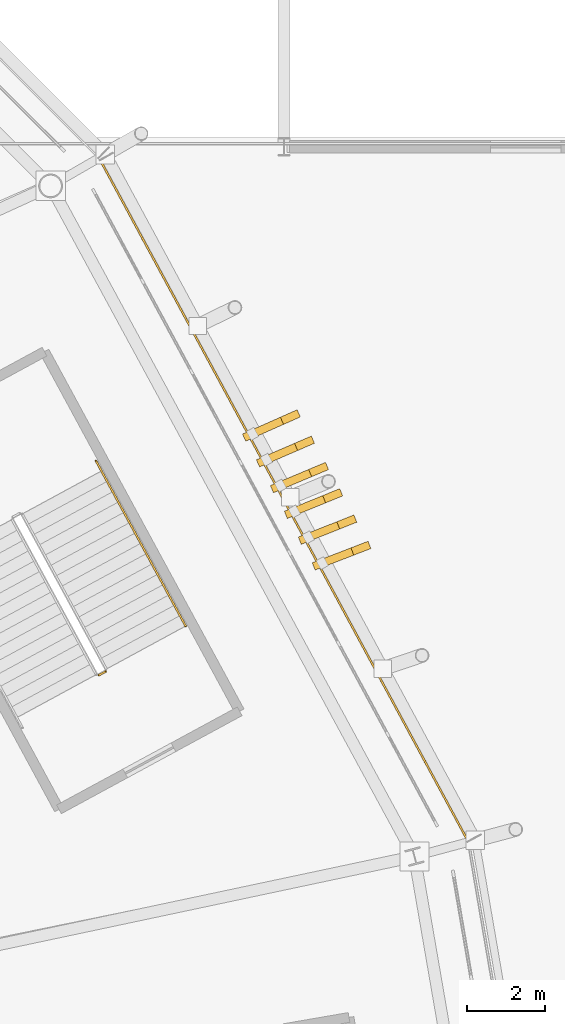
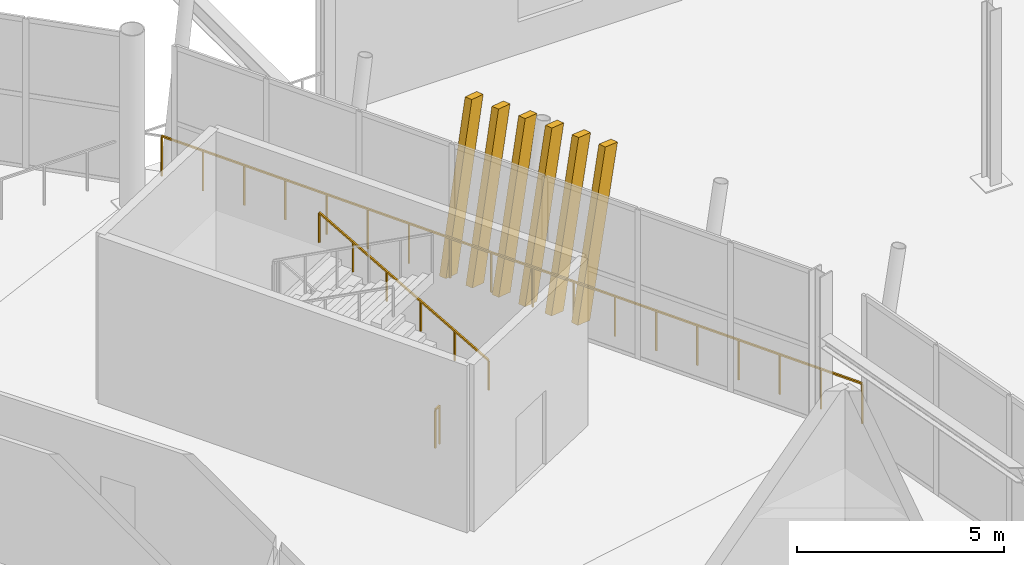
# One storey, part 170 of 178: 6 shading devices, 3 railings.
"""IFC4 building model written with IfcOpenShell, lengths in metres."""

from ifc_helpers import new_model, si_unit, direction, frame, origin, origin_2d, place, context, subcontext, project, spatial, rectangle, extrude, material, material_profile, profile_set, type_object, element, save


model = new_model("IFC4")

# Units and contexts
model_context = context("Model", 3, precision=1e-05, world=origin(), true_north=direction((0.0, 1.0)))
body_context = subcontext(model_context, "Body", "Model", "MODEL_VIEW")
ifc_project = project(units=[si_unit("LENGTHUNIT", "METRE"), si_unit("AREAUNIT", "SQUARE_METRE"), si_unit("VOLUMEUNIT", "CUBIC_METRE"), si_unit("PLANEANGLEUNIT", "RADIAN"), si_unit("MASSUNIT", "GRAM", prefix="KILO")], contexts=[model_context])

# Site, building, storey
site_placement = place(None, origin())
site = spatial("IfcSite", under=ifc_project, at=site_placement, CompositionType="ELEMENT")
building_placement = place(site_placement, origin())
building = spatial("IfcBuilding", under=site, at=building_placement, Name="Zlatoyarsky Gate Stadium", CompositionType="ELEMENT")
storey_placement = place(building_placement, frame((0.0, 0.0, 5.39990234375)))
storey = spatial("IfcBuildingStorey", under=building, at=storey_placement, Name="L01", CompositionType="ELEMENT", Elevation=5.39990234375)

# Railings
ifc_material_1 = material(Name="Powder-coated steel tubular guardrail", Category="steel")
railing_type_1 = type_object("IfcRailingType", Name="CONCOURSE SLAB EDGE GUARDRAIL 1200", PredefinedType="GUARDRAIL", material=ifc_material_1)
railing_1_placement = place(storey_placement, frame((202.2109375, 98.745849609375, 0.0)))
element("IfcRailing", 1, at=railing_1_placement, inside=storey, type_object=railing_type_1, Name="L01 outer slab edge guardrail 01", PredefinedType="GUARDRAIL", context=body_context, shape_type="SweptSolid", body=[
    extrude(rectangle(XDim=0.048095703125, YDim=0.048095703125, at=origin_2d()), frame((0.0, 0.0, 1.17578125), z_axis=(-0.475167957091, 0.879895114519, 0.0), x_axis=(-0.879895114519, -0.475167957091, 0.0)), (0.0, 0.0, 1.0), 19.852783203125),
    extrude(rectangle(XDim=0.0419921875, YDim=0.0419921875, at=origin_2d()), origin(), (0.0, 0.0, 1.0), 1.15185546875),
    extrude(rectangle(XDim=0.0419921875, YDim=0.0419921875, at=origin_2d()), frame((-0.554931640625, 1.027587890625, 0.0)), (0.0, 0.0, 1.0), 1.15185546875),
    extrude(rectangle(XDim=0.0419921875, YDim=0.0419921875, at=origin_2d()), frame((-1.10986328125, 2.05517578125, 0.0)), (0.0, 0.0, 1.0), 1.15185546875),
    extrude(rectangle(XDim=0.0419921875, YDim=0.0419921875, at=origin_2d()), frame((-1.664794921875, 3.08251953125, 0.0)), (0.0, 0.0, 1.0), 1.15185546875),
    extrude(rectangle(XDim=0.0419921875, YDim=0.0419921875, at=origin_2d()), frame((-2.2197265625, 4.110107421875, 0.0)), (0.0, 0.0, 1.0), 1.15185546875),
    extrude(rectangle(XDim=0.0419921875, YDim=0.0419921875, at=origin_2d()), frame((-2.7744140625, 5.1376953125, 0.0)), (0.0, 0.0, 1.0), 1.15185546875),
    extrude(rectangle(XDim=0.0419921875, YDim=0.0419921875, at=origin_2d()), frame((-3.329345703125, 6.165283203125, 0.0)), (0.0, 0.0, 1.0), 1.15185546875),
    extrude(rectangle(XDim=0.0419921875, YDim=0.0419921875, at=origin_2d()), frame((-3.88427734375, 7.19287109375, 0.0)), (0.0, 0.0, 1.0), 1.15185546875),
    extrude(rectangle(XDim=0.0419921875, YDim=0.0419921875, at=origin_2d()), frame((-4.439208984375, 8.220458984375, 0.0)), (0.0, 0.0, 1.0), 1.15185546875),
    extrude(rectangle(XDim=0.0419921875, YDim=0.0419921875, at=origin_2d()), frame((-4.994140625, 9.247802734375, 0.0)), (0.0, 0.0, 1.0), 1.15185546875),
    extrude(rectangle(XDim=0.0419921875, YDim=0.0419921875, at=origin_2d()), frame((-5.549072265625, 10.275390625, 0.0)), (0.0, 0.0, 1.0), 1.15185546875),
    extrude(rectangle(XDim=0.0419921875, YDim=0.0419921875, at=origin_2d()), frame((-6.10400390625, 11.302978515625, 0.0)), (0.0, 0.0, 1.0), 1.15185546875),
    extrude(rectangle(XDim=0.0419921875, YDim=0.0419921875, at=origin_2d()), frame((-6.658935546875, 12.33056640625, 0.0)), (0.0, 0.0, 1.0), 1.15185546875),
    extrude(rectangle(XDim=0.0419921875, YDim=0.0419921875, at=origin_2d()), frame((-7.213623046875, 13.358154296875, 0.0)), (0.0, 0.0, 1.0), 1.15185546875),
    extrude(rectangle(XDim=0.0419921875, YDim=0.0419921875, at=origin_2d()), frame((-7.7685546875, 14.3857421875, 0.0)), (0.0, 0.0, 1.0), 1.15185546875),
    extrude(rectangle(XDim=0.0419921875, YDim=0.0419921875, at=origin_2d()), frame((-8.323486328125, 15.4130859375, 0.0)), (0.0, 0.0, 1.0), 1.15185546875),
    extrude(rectangle(XDim=0.0419921875, YDim=0.0419921875, at=origin_2d()), frame((-8.87841796875, 16.440673828125, 0.0)), (0.0, 0.0, 1.0), 1.15185546875),
    extrude(rectangle(XDim=0.0419921875, YDim=0.0419921875, at=origin_2d()), frame((-9.433349609375, 17.46826171875, 0.0)), (0.0, 0.0, 1.0), 1.15185546875),
])
ifc_material_2 = material(Name="Powder-coated steel stair guardrail", Category="steel")
railing_type_2 = type_object("IfcRailingType", Name="PAINTED STEEL STAIR WELL GUARDRAIL 1150", PredefinedType="GUARDRAIL", material=ifc_material_2)
railing_2_placement = place(storey_placement, frame((192.94482421875, 103.098876953125, 0.0)))
element("IfcRailing", 2, at=railing_2_placement, inside=storey, type_object=railing_type_2, Name="ST-13 L01 stair guard 4", PredefinedType="GUARDRAIL", context=body_context, shape_type="SweptSolid", body=[
    extrude(rectangle(XDim=0.048095703125, YDim=0.048095703125, at=origin_2d()), frame((0.0, 0.0, 1.1259765625), z_axis=(-0.878780312785, -0.477226530971, 0.0), x_axis=(0.477226530971, -0.878780312785, 0.0)), (0.0, 0.0, 1.0), 0.199951171875),
    extrude(rectangle(XDim=0.0419921875, YDim=0.0419921875, at=origin_2d()), origin(), (0.0, 0.0, 1.0), 1.101806640625),
    extrude(rectangle(XDim=0.0419921875, YDim=0.0419921875, at=origin_2d()), frame((-0.17578125, -0.095458984375, 0.0)), (0.0, 0.0, 1.0), 1.101806640625),
])

# Shading devices
ifc_material_3 = material(Name="Precast concrete C40/50 stone-toned architectural rib", Category="masonry")
ifc_material_profile = material_profile(ifc_material_3, rectangle(XDim=0.199951171875, YDim=0.47998046875, at=origin_2d()), Name="RIB 200X480")
ifc_profile_set = profile_set([ifc_material_profile], Name="Precast concrete C40/50 stone-toned architectural rib")
shading_device_type = type_object("IfcShadingDeviceType", Name="PRECAST FLUTED GATE LOUVRE BLADE 200X480", PredefinedType="SHUTTER", material=ifc_profile_set)
for number, where, z_axis, x_axis, name in (
    (3, (198.4765625, 105.8681640625, -0.010009765625), (0.205858795997, 0.079321271122, 0.975361621173), (-0.359550829549, 0.93312550119, 0.0), "Leaning bowl louvre fin L01-01-1"),
    (4, (198.1201171875, 106.528076171875, -0.010009765625), (0.205045491268, 0.081356759439, 0.975365277321), (-0.368804401134, 0.929507027248, 0.0), "Leaning bowl louvre fin L01-01-2"),
    (5, (197.763916015625, 107.18798828125, -0.010009765625), (0.204182440897, 0.083392728789, 0.975374381258), (-0.37810280644, 0.925763613328, 0.0), "Leaning bowl louvre fin L01-01-3"),
    (6, (197.40771484375, 107.847900390625, -0.010009765625), (0.203318380139, 0.085428318382, 0.975378715534), (-0.387365839977, 0.9219260849, 0.0), "Leaning bowl louvre fin L01-01-4"),
    (7, (197.051513671875, 108.508056640625, -0.010009765625), (0.202454222344, 0.087413006782, 0.975382619335), (-0.396396238146, 0.918079529444, 0.0), "Leaning bowl louvre fin L01-01-5"),
    (8, (196.695068359375, 109.16796875, -0.010009765625), (0.201637007814, 0.089446848281, 0.97536750941), (-0.405496328768, 0.914096672872, 0.0), "Leaning bowl louvre fin L01-01-6"),
):
    element("IfcShadingDevice", number, at=place(storey_placement, frame(where, z_axis=z_axis, x_axis=x_axis)), inside=storey, type_object=shading_device_type, Name=name, PredefinedType="SHUTTER", context=body_context, shape_type="SweptSolid", body=[
        extrude(rectangle(XDim=0.199951171875, YDim=0.47998046875, at=origin_2d()), origin(), (0.0, 0.0, 1.0), 4.79833984375),
    ])

# Railing
ifc_material_4 = material(Name="Brushed stainless steel 316 handrail", Category="steel")
railing_type_3 = type_object("IfcRailingType", Name="STAINLESS STEEL TUBULAR HANDRAIL 900", PredefinedType="HANDRAIL", material=ifc_material_4)
railing_3_placement = place(storey_placement, frame((194.986572265625, 104.263427734375, 0.16650390625)))
element("IfcRailing", 9, at=railing_3_placement, inside=storey, type_object=railing_type_3, Name="ST-13 L01 stair handrail 1", PredefinedType="HANDRAIL", context=body_context, shape_type="SweptSolid", body=[
    extrude(rectangle(XDim=0.048095703125, YDim=0.048095703125, at=origin_2d()), frame((0.0, 0.0, 0.8759765625), z_axis=(-0.419322212027, 0.772856990832, 0.476299227612), x_axis=(-0.878962478599, -0.4768909322, 0.0)), (0.0, 0.0, 1.0), 5.458984375),
    extrude(rectangle(XDim=0.0419921875, YDim=0.0419921875, at=origin_2d()), origin(), (0.0, 0.0, 1.0), 0.851806640625),
    extrude(rectangle(XDim=0.0419921875, YDim=0.0419921875, at=origin_2d()), frame((-0.457763671875, 0.84375, 0.52001953125)), (0.0, 0.0, 1.0), 0.851806640625),
    extrude(rectangle(XDim=0.0419921875, YDim=0.0419921875, at=origin_2d()), frame((-0.91552734375, 1.6875, 1.0400390625)), (0.0, 0.0, 1.0), 0.851806640625),
    extrude(rectangle(XDim=0.0419921875, YDim=0.0419921875, at=origin_2d()), frame((-1.37353515625, 2.531494140625, 1.56005859375)), (0.0, 0.0, 1.0), 0.851806640625),
    extrude(rectangle(XDim=0.0419921875, YDim=0.0419921875, at=origin_2d()), frame((-1.831298828125, 3.375244140625, 2.080078125)), (0.0, 0.0, 1.0), 0.851806640625),
    extrude(rectangle(XDim=0.0419921875, YDim=0.0419921875, at=origin_2d()), frame((-2.2890625, 4.218994140625, 2.60009765625)), (0.0, 0.0, 1.0), 0.851806640625),
])

save(model, "model.ifc")
